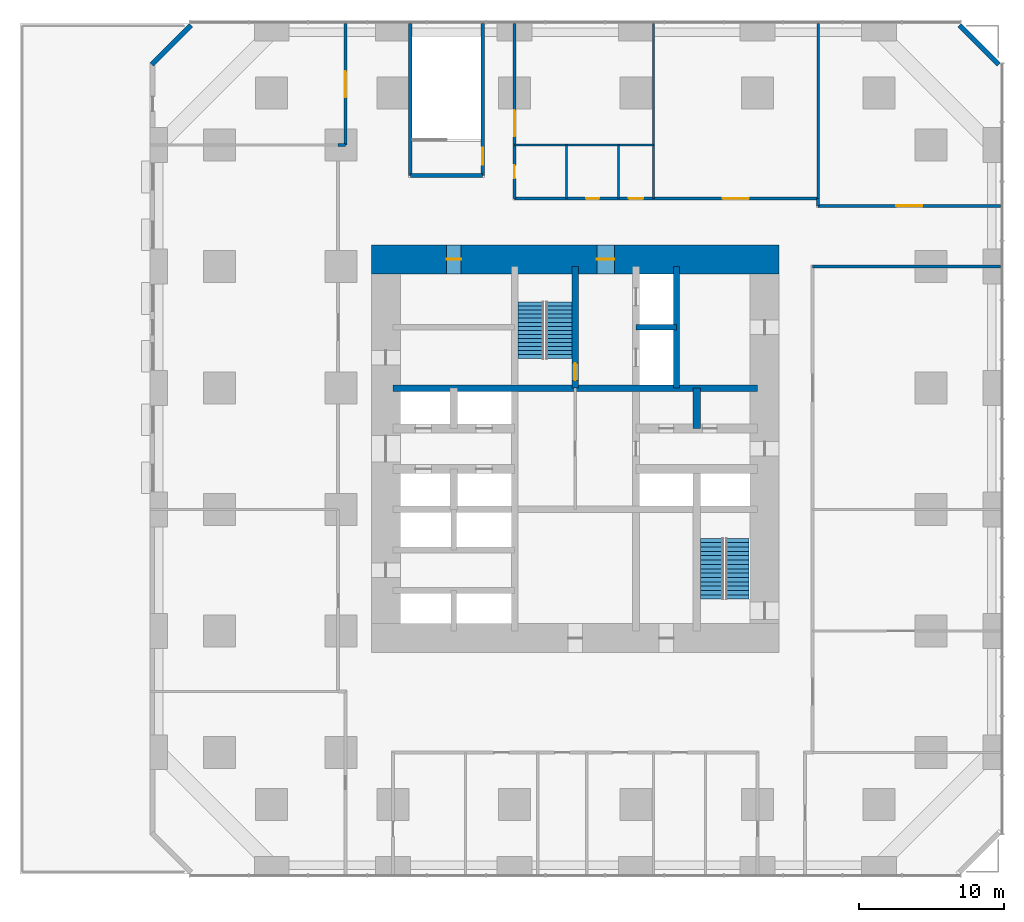
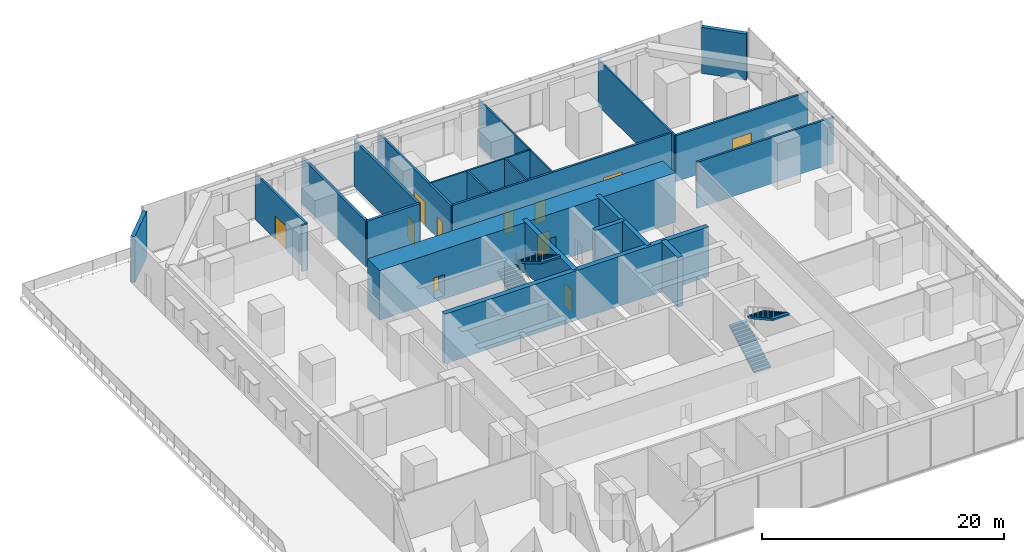
# One storey, part 9 of 12: 23 walls, 11 doors, 4 stair flights, 11 openings, 2 elements without a shape of their own.
"""IFC4 building model written with IfcOpenShell, lengths in metres."""

from ifc_helpers import new_model, si_unit, direction, frame, frame_2d, origin, place, context, subcontext, project, spatial, polyline, rectangle, outline, extrude, material, layer, layer_set, type_object, element, fill, aggregate, save


model = new_model("IFC4")

# Units and contexts
model_context = context("Model", 3, precision=1e-05, world=origin(), true_north=direction((0.0, 1.0)))
body_context = subcontext(model_context, "Body", "Model", "MODEL_VIEW")
ifc_project = project(units=[si_unit("LENGTHUNIT", "METRE"), si_unit("AREAUNIT", "SQUARE_METRE"), si_unit("VOLUMEUNIT", "CUBIC_METRE"), si_unit("PLANEANGLEUNIT", "RADIAN"), si_unit("MASSUNIT", "GRAM", prefix="KILO")], contexts=[model_context])

# Site, building, storey
site_placement = place(None, origin())
site = spatial("IfcSite", under=ifc_project, at=site_placement, CompositionType="ELEMENT")
building_placement = place(site_placement, origin())
building = spatial("IfcBuilding", under=site, at=building_placement, Name="Dunama Terrace Hotel", CompositionType="ELEMENT")
storey_placement = place(building_placement, frame((0.0, 0.0, 22.0)))
storey = spatial("IfcBuildingStorey", under=building, at=storey_placement, Name="L04", CompositionType="ELEMENT", Elevation=22.0)

# Walls
ifc_material_1 = material(Name="Concrete C50/60", Category="concrete")
ifc_layer_1 = layer(ifc_material_1, 0.39990234375)
ifc_layer_set_1 = layer_set([ifc_layer_1], Name="Core inner wall 400")
wall_type_1 = type_object("IfcWallType", Name="Core inner wall 400", PredefinedType="SHEAR", material=ifc_layer_set_1)
wall_1_placement = place(storey_placement, frame((36.39990234375, 33.60009765625, -0.35009765625), z_axis=(0.0, 0.0, 1.0), x_axis=(0.0, 1.0, 0.0)))
element("IfcWall", 1, at=wall_1_placement, inside=storey, type_object=wall_type_1, Name="Core inner wall 400 L04", PredefinedType="SHEAR", context=body_context, shape_type="SweptSolid", body=[
    extrude(rectangle(XDim=8.39990234375, YDim=0.39990234375, at=frame_2d((4.199951171875, 0.0))), origin(), (0.0, 0.0, 1.0), 5.0),
])
wall_2_placement = place(storey_placement, frame((33.60009765625, 37.800048828125, -0.35009765625), z_axis=(0.0, 0.0, 1.0), x_axis=(1.0, 0.0, 0.0)))
element("IfcWall", 2, at=wall_2_placement, inside=storey, type_object=wall_type_1, Name="Core inner wall 400 L04", PredefinedType="SHEAR", context=body_context, shape_type="SweptSolid", body=[
    extrude(rectangle(XDim=2.7998046875, YDim=0.39990234375, at=frame_2d((1.39990234375, 0.0))), origin(), (0.0, 0.0, 1.0), 5.0),
])

# Wall, opening, door
ifc_material_2 = material(Name="Concrete C50/60", Category="concrete")
ifc_layer_2 = layer(ifc_material_2, 0.449951171875)
ifc_layer_set_2 = layer_set([ifc_layer_2], Name="Core inner wall 450")
wall_type_2 = type_object("IfcWallType", Name="Core inner wall 450", PredefinedType="SHEAR", material=ifc_layer_set_2)
wall_3_placement = place(storey_placement, frame((29.39990234375, 33.60009765625, -0.35009765625), z_axis=(0.0, 0.0, 1.0), x_axis=(0.0, 1.0, 0.0)))
wall_3 = element("IfcWall", 3, at=wall_3_placement, inside=storey, type_object=wall_type_2, Name="Core inner wall 450 L04", PredefinedType="SHEAR", context=body_context, shape_type="SweptSolid", body=[
    extrude(rectangle(XDim=8.39990234375, YDim=0.449951171875, at=frame_2d((4.199951171875, 0.0))), origin(), (0.0, 0.0, 1.0), 5.0),
])
opening_1_placement = place(wall_3_placement, frame((0.52490234375, 0.0, 0.35009765625)))
opening_1 = element("IfcOpeningElement", 4, at=opening_1_placement, cuts=wall_3, Name="Opening L04-003", PredefinedType="OPENING", context=body_context, shape_type="SweptSolid", body=[
    extrude(rectangle(XDim=1.199951171875, YDim=2.199951171875, at=frame_2d((0.60009765625, 1.10009765625))), frame((0.0, 0.23486328125, 0.0), z_axis=(0.0, -1.0, 0.0), x_axis=(1.0, 0.0, 0.0)), (0.0, 0.0, 1.0), 0.469970703125),
])
ifc_material_3 = material(Name="Timber door with steel frame", Category="steel")
door_type_1 = type_object("IfcDoorType", Name="Stair door 1200", OperationType="SINGLE_SWING_LEFT", PredefinedType="DOOR", material=ifc_material_3)
door_1_placement = place(opening_1_placement, origin())
door_1 = element("IfcDoor", 5, at=door_1_placement, inside=storey, type_object=door_type_1, Name="Stair door ST1 L04-003, type D5", OperationType="SINGLE_SWING_LEFT", OverallHeight=2.199951171875, OverallWidth=1.199951171875, PredefinedType="DOOR", context=body_context, shape_type="SweptSolid", body=[
    extrude(rectangle(XDim=1.199951171875, YDim=2.199951171875, at=frame_2d((0.60009765625, 1.10009765625))), frame((0.0, 0.02490234375, 0.0), z_axis=(0.0, -1.0, 0.0), x_axis=(1.0, 0.0, 0.0)), (0.0, 0.0, 1.0), 0.050048828125),
])
fill(opening_1, door_1)

# Walls
wall_4_placement = place(storey_placement, frame((16.800048828125, 33.60009765625, -0.35009765625), z_axis=(0.0, 0.0, 1.0), x_axis=(1.0, 0.0, 0.0)))
element("IfcWall", 6, at=wall_4_placement, inside=storey, type_object=wall_type_2, Name="Core inner wall 450 L04", PredefinedType="SHEAR", context=body_context, shape_type="SweptSolid", body=[
    extrude(rectangle(XDim=25.199951171875, YDim=0.449951171875, at=frame_2d((12.60009765625, 0.0))), origin(), (0.0, 0.0, 1.0), 5.0),
])
ifc_material_4 = material(Name="Concrete C50/60", Category="concrete")
ifc_layer_3 = layer(ifc_material_4, 0.5)
ifc_layer_set_3 = layer_set([ifc_layer_3], Name="Core inner wall 500")
wall_type_3 = type_object("IfcWallType", Name="Core inner wall 500", PredefinedType="SHEAR", material=ifc_layer_set_3)
wall_5_placement = place(storey_placement, frame((37.800048828125, 30.800048828125, -0.35009765625), z_axis=(0.0, 0.0, 1.0), x_axis=(0.0, 1.0, 0.0)))
element("IfcWall", 7, at=wall_5_placement, inside=storey, type_object=wall_type_3, Name="Core inner wall 500 L04", PredefinedType="SHEAR", context=body_context, shape_type="SweptSolid", body=[
    extrude(rectangle(XDim=2.800048828125, YDim=0.5, at=frame_2d((1.39990234375, 0.0))), origin(), (0.0, 0.0, 1.0), 5.0),
])

# Wall, openings, doors
ifc_material_5 = material(Name="Concrete C60/75", Category="concrete")
ifc_layer_4 = layer(ifc_material_5, 2.0)
ifc_layer_set_4 = layer_set([ifc_layer_4], Name="Core wall 2000")
wall_type_4 = type_object("IfcWallType", Name="Core wall 2000", PredefinedType="SHEAR", material=ifc_layer_set_4)
wall_6_placement = place(storey_placement, frame((43.5, 42.5, -0.35009765625), z_axis=(0.0, 0.0, 1.0), x_axis=(-1.0, 0.0, 0.0)))
wall_6 = element("IfcWall", 8, at=wall_6_placement, inside=storey, type_object=wall_type_4, Name="Core wall north L04", PredefinedType="SHEAR", context=body_context, shape_type="SweptSolid", body=[
    extrude(rectangle(XDim=28.199951171875, YDim=2.0, at=frame_2d((14.10009765625, 0.0))), origin(), (0.0, 0.0, 1.0), 5.0),
])
opening_2_placement = place(wall_6_placement, frame((22.0, 0.0, 0.35009765625)))
opening_2 = element("IfcOpeningElement", 9, at=opening_2_placement, cuts=wall_6, Name="Opening L04-015", PredefinedType="OPENING", context=body_context, shape_type="SweptSolid", body=[
    extrude(rectangle(XDim=1.0, YDim=2.10009765625, at=frame_2d((0.5, 1.050048828125))), frame((0.0, 1.010009765625, 0.0), z_axis=(0.0, -1.0, 0.0), x_axis=(1.0, 0.0, 0.0)), (0.0, 0.0, 1.0), 2.02001953125),
])
opening_3_placement = place(wall_6_placement, frame((11.39990234375, 0.0, 0.35009765625)))
opening_3 = element("IfcOpeningElement", 10, at=opening_3_placement, cuts=wall_6, Name="Opening L04-021", PredefinedType="OPENING", context=body_context, shape_type="SweptSolid", body=[
    extrude(rectangle(XDim=1.199951171875, YDim=2.199951171875, at=frame_2d((0.60009765625, 1.10009765625))), frame((0.0, 1.010009765625, 0.0), z_axis=(0.0, -1.0, 0.0), x_axis=(1.0, 0.0, 0.0)), (0.0, 0.0, 1.0), 2.02001953125),
])
ifc_material_6 = material(Name="Timber door with steel frame", Category="steel")
door_type_2 = type_object("IfcDoorType", Name="Firefighting lobby door 1200", OperationType="SINGLE_SWING_LEFT", PredefinedType="DOOR", material=ifc_material_6)
door_2_placement = place(opening_3_placement, origin())
door_2 = element("IfcDoor", 11, at=door_2_placement, inside=storey, type_object=door_type_2, Name="Door to firefighting lobby L04-021, type D4", OperationType="SINGLE_SWING_LEFT", OverallHeight=2.199951171875, OverallWidth=1.199951171875, PredefinedType="DOOR", context=body_context, shape_type="SweptSolid", body=[
    extrude(rectangle(XDim=1.199951171875, YDim=2.199951171875, at=frame_2d((0.60009765625, 1.10009765625))), frame((0.0, 0.02490234375, 0.0), z_axis=(0.0, -1.0, 0.0), x_axis=(1.0, 0.0, 0.0)), (0.0, 0.0, 1.0), 0.050048828125),
])
fill(opening_3, door_2)
ifc_material_7 = material(Name="Timber door with steel frame", Category="steel")
door_type_3 = type_object("IfcDoorType", Name="Service door 1000", OperationType="SINGLE_SWING_LEFT", PredefinedType="DOOR", material=ifc_material_7)
door_3_placement = place(opening_2_placement, origin())
door_3 = element("IfcDoor", 12, at=door_3_placement, inside=storey, type_object=door_type_3, Name="Door to communications and riser room L04-015, type D7", OperationType="SINGLE_SWING_RIGHT", OverallHeight=2.10009765625, OverallWidth=1.0, PredefinedType="DOOR", context=body_context, shape_type="SweptSolid", body=[
    extrude(rectangle(XDim=1.0, YDim=2.10009765625, at=frame_2d((0.5, 1.050048828125))), frame((0.0, 0.02490234375, 0.0), z_axis=(0.0, -1.0, 0.0), x_axis=(1.0, 0.0, 0.0)), (0.0, 0.0, 1.0), 0.050048828125),
])
fill(opening_2, door_3)

ifc_material_8 = material(Name="Concrete blockwork", Category="masonry")
ifc_layer_5 = layer(ifc_material_8, 0.199951171875)
ifc_layer_set_5 = layer_set([ifc_layer_5], Name="Corridor partition 200")
wall_type_5 = type_object("IfcWallType", Name="Corridor partition 200", PredefinedType="PARTITIONING", material=ifc_layer_set_5)
wall_7_placement = place(storey_placement, frame((25.199951171875, 46.699951171875, 0.0), z_axis=(0.0, 0.0, 1.0), x_axis=(0.0, 1.0, 0.0)))
wall_7 = element("IfcWall", 13, at=wall_7_placement, inside=storey, type_object=wall_type_5, Name="Corridor partition 200 L04", PredefinedType="PARTITIONING", context=body_context, shape_type="SweptSolid", body=[
    extrude(rectangle(XDim=12.123046875, YDim=0.199951171875, at=frame_2d((6.0615234375, 0.0))), origin(), (0.0, 0.0, 1.0), 4.64990234375),
])
opening_4_placement = place(wall_7_placement, frame((1.39990234375, 0.0, 0.0)))
opening_4 = element("IfcOpeningElement", 14, at=opening_4_placement, cuts=wall_7, Name="Opening L04-031", PredefinedType="OPENING", context=body_context, shape_type="SweptSolid", body=[
    extrude(rectangle(XDim=0.89990234375, YDim=2.10009765625, at=frame_2d((0.449951171875, 1.050048828125))), frame((0.0, 0.10986328125, 0.0), z_axis=(0.0, -1.0, 0.0), x_axis=(1.0, 0.0, 0.0)), (0.0, 0.0, 1.0), 0.219970703125),
])
opening_5_placement = place(wall_7_placement, frame((4.300048828125, 0.0, 0.0)))
opening_5 = element("IfcOpeningElement", 15, at=opening_5_placement, cuts=wall_7, Name="Opening L04-043", PredefinedType="OPENING", context=body_context, shape_type="SweptSolid", body=[
    extrude(rectangle(XDim=1.800048828125, YDim=2.39990234375, at=frame_2d((0.89990234375, 1.199951171875))), frame((0.0, 0.10986328125, 0.0), z_axis=(0.0, -1.0, 0.0), x_axis=(1.0, 0.0, 0.0)), (0.0, 0.0, 1.0), 0.219970703125),
])
ifc_material_9 = material(Name="Aluminium-framed glazed door", Category="aluminium")
door_type_4 = type_object("IfcDoorType", Name="Glazed double door 1800", OperationType="DOUBLE_DOOR_DOUBLE_SWING", PredefinedType="DOOR", material=ifc_material_9)
door_4_placement = place(opening_5_placement, origin())
door_4 = element("IfcDoor", 16, at=door_4_placement, inside=storey, type_object=door_type_4, Name="Door to fitness reception and lounge L04-043, type D8", OperationType="DOUBLE_DOOR_DOUBLE_SWING", OverallHeight=2.39990234375, OverallWidth=1.800048828125, PredefinedType="DOOR", context=body_context, shape_type="SweptSolid", body=[
    extrude(rectangle(XDim=1.800048828125, YDim=2.39990234375, at=frame_2d((0.89990234375, 1.199951171875))), frame((0.0, 0.02490234375, 0.0), z_axis=(0.0, -1.0, 0.0), x_axis=(1.0, 0.0, 0.0)), (0.0, 0.0, 1.0), 0.050048828125),
])
fill(opening_5, door_4)
ifc_material_10 = material(Name="Timber door with steel frame", Category="steel")
door_type_5 = type_object("IfcDoorType", Name="WC door 900", OperationType="SINGLE_SWING_LEFT", PredefinedType="DOOR", material=ifc_material_10)
door_5_placement = place(opening_4_placement, frame((0.89990234375, 0.0, 0.0), z_axis=(0.0, 0.0, 1.0), x_axis=(-1.0, 0.0, 0.0)))
door_5 = element("IfcDoor", 17, at=door_5_placement, inside=storey, type_object=door_type_5, Name="Door to male wc L04-031, type D6", OperationType="SINGLE_SWING_RIGHT", OverallHeight=2.10009765625, OverallWidth=0.89990234375, PredefinedType="DOOR", context=body_context, shape_type="SweptSolid", body=[
    extrude(rectangle(XDim=0.89990234375, YDim=2.10009765625, at=frame_2d((0.449951171875, 1.050048828125))), frame((0.0, 0.025146484375, 0.0), z_axis=(0.0, -1.0, 0.0), x_axis=(1.0, 0.0, 0.0)), (0.0, 0.0, 1.0), 0.050048828125),
])
fill(opening_4, door_5)

# Walls
wall_8_placement = place(storey_placement, frame((46.199951171875, 46.199951171875, 0.0), z_axis=(0.0, 0.0, 1.0), x_axis=(0.0, 1.0, 0.0)))
element("IfcWall", 18, at=wall_8_placement, inside=storey, type_object=wall_type_5, Name="Corridor partition 200 L04", PredefinedType="PARTITIONING", context=body_context, shape_type="SweptSolid", body=[
    extrude(rectangle(XDim=0.5, YDim=0.199951171875, at=frame_2d((0.25, 0.0))), origin(), (0.0, 0.0, 1.0), 4.64990234375),
])
wall_9_placement = place(storey_placement, frame((45.800048828125, 42.0, 0.0), z_axis=(0.0, 0.0, 1.0), x_axis=(1.0, 0.0, 0.0)))
element("IfcWall", 19, at=wall_9_placement, inside=storey, type_object=wall_type_5, Name="Corridor partition 200 L04", PredefinedType="PARTITIONING", context=body_context, shape_type="SweptSolid", body=[
    extrude(rectangle(XDim=13.02294921875, YDim=0.199951171875, at=frame_2d((6.511474609375, 0.0))), origin(), (0.0, 0.0, 1.0), 4.64990234375),
])

# Wall, opening, door
wall_10_placement = place(storey_placement, frame((46.199951171875, 46.199951171875, 0.0), z_axis=(0.0, 0.0, 1.0), x_axis=(1.0, 0.0, 0.0)))
wall_10 = element("IfcWall", 20, at=wall_10_placement, inside=storey, type_object=wall_type_5, Name="Corridor partition 200 L04", PredefinedType="PARTITIONING", context=body_context, shape_type="SweptSolid", body=[
    extrude(rectangle(XDim=12.623046875, YDim=0.199951171875, at=frame_2d((6.3115234375, 0.0))), origin(), (0.0, 0.0, 1.0), 4.64990234375),
])
opening_6_placement = place(wall_10_placement, frame((5.39990234375, 0.0, 0.0)))
opening_6 = element("IfcOpeningElement", 21, at=opening_6_placement, cuts=wall_10, Name="Opening L04-042", PredefinedType="OPENING", context=body_context, shape_type="SweptSolid", body=[
    extrude(rectangle(XDim=1.800048828125, YDim=2.39990234375, at=frame_2d((0.89990234375, 1.199951171875))), frame((0.0, 0.10986328125, 0.0), z_axis=(0.0, -1.0, 0.0), x_axis=(1.0, 0.0, 0.0)), (0.0, 0.0, 1.0), 0.219970703125),
])
door_6_placement = place(opening_6_placement, origin())
door_6 = element("IfcDoor", 22, at=door_6_placement, inside=storey, type_object=door_type_4, Name="Door to spinning studio L04-042, type D8", OperationType="DOUBLE_DOOR_DOUBLE_SWING", OverallHeight=2.39990234375, OverallWidth=1.800048828125, PredefinedType="DOOR", context=body_context, shape_type="SweptSolid", body=[
    extrude(rectangle(XDim=1.800048828125, YDim=2.39990234375, at=frame_2d((0.89990234375, 1.199951171875))), frame((0.0, 0.02490234375, 0.0), z_axis=(0.0, -1.0, 0.0), x_axis=(1.0, 0.0, 0.0)), (0.0, 0.0, 1.0), 0.050048828125),
])
fill(opening_6, door_6)

# Wall, openings, doors
wall_11_placement = place(storey_placement, frame((25.199951171875, 46.699951171875, 0.0), z_axis=(0.0, 0.0, 1.0), x_axis=(1.0, 0.0, 0.0)))
wall_11 = element("IfcWall", 23, at=wall_11_placement, inside=storey, type_object=wall_type_5, Name="Corridor partition 200 L04", PredefinedType="PARTITIONING", context=body_context, shape_type="SweptSolid", body=[
    extrude(rectangle(XDim=21.0, YDim=0.199951171875, at=frame_2d((10.5, 0.0))), origin(), (0.0, 0.0, 1.0), 4.64990234375),
])
opening_7_placement = place(wall_11_placement, frame((4.949951171875, 0.0, 0.0)))
opening_7 = element("IfcOpeningElement", 24, at=opening_7_placement, cuts=wall_11, Name="Opening L04-032", PredefinedType="OPENING", context=body_context, shape_type="SweptSolid", body=[
    extrude(rectangle(XDim=0.89990234375, YDim=2.10009765625, at=frame_2d((0.449951171875, 1.050048828125))), frame((0.0, 0.10986328125, 0.0), z_axis=(0.0, -1.0, 0.0), x_axis=(1.0, 0.0, 0.0)), (0.0, 0.0, 1.0), 0.219970703125),
])
opening_8_placement = place(wall_11_placement, frame((7.89990234375, 0.0, 0.0)))
opening_8 = element("IfcOpeningElement", 25, at=opening_8_placement, cuts=wall_11, Name="Opening L04-033", PredefinedType="OPENING", context=body_context, shape_type="SweptSolid", body=[
    extrude(rectangle(XDim=1.0, YDim=2.10009765625, at=frame_2d((0.5, 1.050048828125))), frame((0.0, 0.10986328125, 0.0), z_axis=(0.0, -1.0, 0.0), x_axis=(1.0, 0.0, 0.0)), (0.0, 0.0, 1.0), 0.219970703125),
])
opening_9_placement = place(wall_11_placement, frame((14.39990234375, 0.0, 0.0)))
opening_9 = element("IfcOpeningElement", 26, at=opening_9_placement, cuts=wall_11, Name="Opening L04-041", PredefinedType="OPENING", context=body_context, shape_type="SweptSolid", body=[
    extrude(rectangle(XDim=1.800048828125, YDim=2.39990234375, at=frame_2d((0.89990234375, 1.199951171875))), frame((0.0, 0.10986328125, 0.0), z_axis=(0.0, -1.0, 0.0), x_axis=(1.0, 0.0, 0.0)), (0.0, 0.0, 1.0), 0.219970703125),
])
ifc_material_11 = material(Name="Timber door with steel frame", Category="steel")
door_type_6 = type_object("IfcDoorType", Name="Accessible room door 1000", OperationType="SINGLE_SWING_LEFT", PredefinedType="DOOR", material=ifc_material_11)
door_7_placement = place(opening_8_placement, origin())
door_7 = element("IfcDoor", 27, at=door_7_placement, inside=storey, type_object=door_type_6, Name="Door to accessible wc L04-033, type D17", OperationType="SINGLE_SWING_RIGHT", OverallHeight=2.10009765625, OverallWidth=1.0, PredefinedType="DOOR", context=body_context, shape_type="SweptSolid", body=[
    extrude(rectangle(XDim=1.0, YDim=2.10009765625, at=frame_2d((0.5, 1.050048828125))), frame((0.0, 0.02490234375, 0.0), z_axis=(0.0, -1.0, 0.0), x_axis=(1.0, 0.0, 0.0)), (0.0, 0.0, 1.0), 0.050048828125),
])
fill(opening_8, door_7)
door_8_placement = place(opening_9_placement, origin())
door_8 = element("IfcDoor", 28, at=door_8_placement, inside=storey, type_object=door_type_4, Name="Door to yoga studio L04-041, type D8", OperationType="DOUBLE_DOOR_DOUBLE_SWING", OverallHeight=2.39990234375, OverallWidth=1.800048828125, PredefinedType="DOOR", context=body_context, shape_type="SweptSolid", body=[
    extrude(rectangle(XDim=1.800048828125, YDim=2.39990234375, at=frame_2d((0.89990234375, 1.199951171875))), frame((0.0, 0.02490234375, 0.0), z_axis=(0.0, -1.0, 0.0), x_axis=(1.0, 0.0, 0.0)), (0.0, 0.0, 1.0), 0.050048828125),
])
fill(opening_9, door_8)
door_9_placement = place(opening_7_placement, origin())
door_9 = element("IfcDoor", 29, at=door_9_placement, inside=storey, type_object=door_type_5, Name="Door to female wc L04-032, type D6", OperationType="SINGLE_SWING_LEFT", OverallHeight=2.10009765625, OverallWidth=0.89990234375, PredefinedType="DOOR", context=body_context, shape_type="SweptSolid", body=[
    extrude(rectangle(XDim=0.89990234375, YDim=2.10009765625, at=frame_2d((0.449951171875, 1.050048828125))), frame((0.0, 0.02490234375, 0.0), z_axis=(0.0, -1.0, 0.0), x_axis=(1.0, 0.0, 0.0)), (0.0, 0.0, 1.0), 0.050048828125),
])
fill(opening_7, door_9)

# Wall, opening, door
wall_12_placement = place(storey_placement, frame((13.5, 58.822998046875, 0.0), z_axis=(0.0, 0.0, 1.0), x_axis=(0.0, -1.0, 0.0)))
wall_12 = element("IfcWall", 30, at=wall_12_placement, inside=storey, type_object=wall_type_5, Name="Corridor partition 200 L04", PredefinedType="PARTITIONING", context=body_context, shape_type="SweptSolid", body=[
    extrude(rectangle(XDim=8.423095703125, YDim=0.199951171875, at=frame_2d((4.21142578125, 0.0))), origin(), (0.0, 0.0, 1.0), 4.64990234375),
])
opening_10_placement = place(wall_12_placement, frame((3.322998046875, 0.0, 0.0)))
opening_10 = element("IfcOpeningElement", 31, at=opening_10_placement, cuts=wall_12, Name="Opening L04-044", PredefinedType="OPENING", context=body_context, shape_type="SweptSolid", body=[
    extrude(rectangle(XDim=1.800048828125, YDim=2.39990234375, at=frame_2d((0.89990234375, 1.199951171875))), frame((0.0, 0.10986328125, 0.0), z_axis=(0.0, -1.0, 0.0), x_axis=(1.0, 0.0, 0.0)), (0.0, 0.0, 1.0), 0.219970703125),
])
door_10_placement = place(opening_10_placement, origin())
door_10 = element("IfcDoor", 32, at=door_10_placement, inside=storey, type_object=door_type_4, Name="Door to juice bar and lounge L04-044, type D8", OperationType="DOUBLE_DOOR_DOUBLE_SWING", OverallHeight=2.39990234375, OverallWidth=1.800048828125, PredefinedType="DOOR", context=body_context, shape_type="SweptSolid", body=[
    extrude(rectangle(XDim=1.800048828125, YDim=2.39990234375, at=frame_2d((0.89990234375, 1.199951171875))), frame((0.0, 0.02490234375, 0.0), z_axis=(0.0, -1.0, 0.0), x_axis=(1.0, 0.0, 0.0)), (0.0, 0.0, 1.0), 0.050048828125),
])
fill(opening_10, door_10)

# Walls
wall_13_placement = place(storey_placement, frame((13.5, 50.39990234375, 0.0), z_axis=(0.0, 0.0, 1.0), x_axis=(-1.0, 0.0, 0.0)))
element("IfcWall", 33, at=wall_13_placement, inside=storey, type_object=wall_type_5, Name="Corridor partition 200 L04", PredefinedType="PARTITIONING", context=body_context, shape_type="SweptSolid", body=[
    extrude(rectangle(XDim=0.5, YDim=0.199951171875, at=frame_2d((0.25, 0.0))), origin(), (0.0, 0.0, 1.0), 4.64990234375),
])
ifc_material_12 = material(Name="Granite-faced concrete blockwork", Category="masonry")
ifc_layer_6 = layer(ifc_material_12, 0.35009765625)
ifc_layer_set_6 = layer_set([ifc_layer_6], Name="Podium external wall 350")
wall_type_6 = type_object("IfcWallType", Name="Podium external wall 350", PredefinedType="SOLIDWALL", material=ifc_layer_set_6)
for number, where, z_axis, x_axis, name in (
    (34, (58.676025390625, 55.97607421875, 0.0), (0.0, 0.0, 1.0), (-0.707106781187, 0.707106781187, 0.0), "Podium external wall 350 L04"),
    (35, (2.823974609375, 58.676025390625, 0.0), (0.0, 0.0, 1.0), (-0.707106781187, -0.707106781187, 0.0), "Podium external wall 350 L04"),
):
    element("IfcWall", number, at=place(storey_placement, frame(where, z_axis=z_axis, x_axis=x_axis)), inside=storey, type_object=wall_type_6, Name=name, PredefinedType="SOLIDWALL", context=body_context, shape_type="SweptSolid", body=[
        extrude(rectangle(XDim=3.818359375, YDim=0.35009765625, at=frame_2d((1.9091796875, 0.0))), origin(), (0.0, 0.0, 1.0), 4.64990234375),
    ])
ifc_material_13 = material(Name="Gypsum board partition", Category="masonry")
ifc_layer_7 = layer(ifc_material_13, 0.14990234375)
ifc_layer_set_7 = layer_set([ifc_layer_7], Name="Room partition 150")
wall_type_7 = type_object("IfcWallType", Name="Room partition 150", PredefinedType="PARTITIONING", material=ifc_layer_set_7)
for number, where, z_axis, x_axis, name in (
    (36, (28.800048828125, 46.699951171875, 0.0), (0.0, 0.0, 1.0), (0.0, 1.0, 0.0), "Room partition 150 L04"),
    (37, (32.39990234375, 46.699951171875, 0.0), (0.0, 0.0, 1.0), (0.0, 1.0, 0.0), "Room partition 150 L04"),
):
    element("IfcWall", number, at=place(storey_placement, frame(where, z_axis=z_axis, x_axis=x_axis)), inside=storey, type_object=wall_type_7, Name=name, PredefinedType="PARTITIONING", context=body_context, shape_type="SweptSolid", body=[
        extrude(rectangle(XDim=3.699951171875, YDim=0.14990234375, at=frame_2d((1.85009765625, 0.0))), origin(), (0.0, 0.0, 1.0), 4.64990234375),
    ])
for number, where, z_axis, x_axis, name in (
    (38, (34.800048828125, 46.699951171875, 0.0), (0.0, 0.0, 1.0), (0.0, 1.0, 0.0), "Room partition 150 L04"),
    (39, (46.199951171875, 46.699951171875, 0.0), (0.0, 0.0, 1.0), (0.0, 1.0, 0.0), "Room partition 150 L04"),
):
    element("IfcWall", number, at=place(storey_placement, frame(where, z_axis=z_axis, x_axis=x_axis)), inside=storey, type_object=wall_type_7, Name=name, PredefinedType="PARTITIONING", context=body_context, shape_type="SweptSolid", body=[
        extrude(rectangle(XDim=12.123046875, YDim=0.14990234375, at=frame_2d((6.0615234375, 0.0))), origin(), (0.0, 0.0, 1.0), 4.64990234375),
    ])
wall_14_placement = place(storey_placement, frame((25.199951171875, 50.39990234375, 0.0), z_axis=(0.0, 0.0, 1.0), x_axis=(1.0, 0.0, 0.0)))
element("IfcWall", 40, at=wall_14_placement, inside=storey, type_object=wall_type_7, Name="Room partition 150 L04", PredefinedType="PARTITIONING", context=body_context, shape_type="SweptSolid", body=[
    extrude(rectangle(XDim=9.60009765625, YDim=0.14990234375, at=frame_2d((4.800048828125, 0.0))), origin(), (0.0, 0.0, 1.0), 4.64990234375),
])
ifc_material_14 = material(Name="Concrete blockwork", Category="masonry")
ifc_layer_8 = layer(ifc_material_14, 0.25)
ifc_layer_set_8 = layer_set([ifc_layer_8], Name="Stair enclosure wall 250")
wall_type_8 = type_object("IfcWallType", Name="Stair enclosure wall 250", PredefinedType="PARTITIONING", material=ifc_layer_set_8)
wall_15_placement = place(storey_placement, frame((18.0, 48.300048828125, 0.0), z_axis=(0.0, 0.0, 1.0), x_axis=(0.0, 1.0, 0.0)))
element("IfcWall", 41, at=wall_15_placement, inside=storey, type_object=wall_type_8, Name="Stair enclosure wall 250 L04", PredefinedType="PARTITIONING", context=body_context, shape_type="SweptSolid", body=[
    extrude(rectangle(XDim=10.52294921875, YDim=0.25, at=frame_2d((5.261474609375, 0.0))), origin(), (0.0, 0.0, 1.0), 4.64990234375),
])

# Wall, opening, door
wall_16_placement = place(storey_placement, frame((23.0, 48.300048828125, 0.0), z_axis=(0.0, 0.0, 1.0), x_axis=(0.0, 1.0, 0.0)))
wall_16 = element("IfcWall", 42, at=wall_16_placement, inside=storey, type_object=wall_type_8, Name="Stair enclosure wall 250 L04", PredefinedType="PARTITIONING", context=body_context, shape_type="SweptSolid", body=[
    extrude(rectangle(XDim=10.52294921875, YDim=0.25, at=frame_2d((5.261474609375, 0.0))), origin(), (0.0, 0.0, 1.0), 4.64990234375),
])
opening_11_placement = place(wall_16_placement, frame((0.72509765625, 0.0, 0.0)))
opening_11 = element("IfcOpeningElement", 43, at=opening_11_placement, cuts=wall_16, Name="Opening L04-005", PredefinedType="OPENING", context=body_context, shape_type="SweptSolid", body=[
    extrude(rectangle(XDim=1.199951171875, YDim=2.199951171875, at=frame_2d((0.60009765625, 1.10009765625))), frame((0.0, 0.135009765625, 0.0), z_axis=(0.0, -1.0, 0.0), x_axis=(1.0, 0.0, 0.0)), (0.0, 0.0, 1.0), 0.27001953125),
])
door_11_placement = place(opening_11_placement, origin())
door_11 = element("IfcDoor", 44, at=door_11_placement, inside=storey, type_object=door_type_1, Name="Stair door P5 L04-005, type D5", OperationType="SINGLE_SWING_LEFT", OverallHeight=2.199951171875, OverallWidth=1.199951171875, PredefinedType="DOOR", context=body_context, shape_type="SweptSolid", body=[
    extrude(rectangle(XDim=1.199951171875, YDim=2.199951171875, at=frame_2d((0.60009765625, 1.10009765625))), frame((0.0, 0.02490234375, 0.0), z_axis=(0.0, -1.0, 0.0), x_axis=(1.0, 0.0, 0.0)), (0.0, 0.0, 1.0), 0.050048828125),
])
fill(opening_11, door_11)

# Wall
wall_17_placement = place(storey_placement, frame((18.0, 48.300048828125, 0.0), z_axis=(0.0, 0.0, 1.0), x_axis=(1.0, 0.0, 0.0)))
element("IfcWall", 45, at=wall_17_placement, inside=storey, type_object=wall_type_8, Name="Stair enclosure wall 250 L04", PredefinedType="PARTITIONING", context=body_context, shape_type="SweptSolid", body=[
    extrude(rectangle(XDim=5.0, YDim=0.25, at=frame_2d((2.5, 0.0))), origin(), (0.0, 0.0, 1.0), 4.64990234375),
])

# Stair, stair flights
ifc_material_15 = material(Name="Concrete C40/50", Category="concrete")
stair_type_1 = type_object("IfcStairType", Name="Stair ST1-5000-1800", PredefinedType="HALF_TURN_STAIR", material=ifc_material_15)
stair_1_placement = place(storey_placement, origin())
stair_1 = element("IfcStair", 46, at=stair_1_placement, inside=storey, type_object=stair_type_1, Name="Stair ST1 L04", PredefinedType="HALF_TURN_STAIR")
ifc_material_16 = material(Name="Concrete C40/50", Category="concrete")
stair_flight_type_1 = type_object("IfcStairFlightType", Name="Stair flight ST1-5000-1800", PredefinedType="STRAIGHT", material=ifc_material_16)
stair_flight_1_placement = place(storey_placement, frame((26.324951171875, 35.625, 0.0), z_axis=(0.0, 0.0, 1.0), x_axis=(0.0, 1.0, 0.0)))
stair_flight_1 = element("IfcStairFlight", 47, at=stair_flight_1_placement, type_object=stair_flight_type_1, Name="ST1 flight 1", NumberOfRisers=15, NumberOfTreads=14, PredefinedType="STRAIGHT", RiserHeight=0.166666667, TreadLength=0.28, context=body_context, shape_type="SweptSolid", body=[
    extrude(outline(polyline([(0.0, 0.0), (0.0, 0.166748046875), (0.280029296875, 0.166748046875), (0.280029296875, 0.333251953125), (0.56005859375, 0.333251953125), (0.56005859375, 0.5), (0.840087890625, 0.5), (0.840087890625, 0.666748046875), (1.1201171875, 0.666748046875), (1.1201171875, 0.833251953125), (1.39990234375, 0.833251953125), (1.39990234375, 1.0), (1.679931640625, 1.0), (1.679931640625, 1.166748046875), (1.9599609375, 1.166748046875), (1.9599609375, 1.333251953125), (2.239990234375, 1.333251953125), (2.239990234375, 1.5), (2.52001953125, 1.5), (2.52001953125, 1.666748046875), (2.800048828125, 1.666748046875), (2.800048828125, 1.833251953125), (3.080078125, 1.833251953125), (3.080078125, 2.0), (3.360107421875, 2.0), (3.360107421875, 2.166748046875), (3.639892578125, 2.166748046875), (3.639892578125, 2.333251953125), (3.919921875, 2.333251953125), (3.919921875, 2.5), (3.919921875, 2.158935546875), (0.29296875, 0.0), (0.0, 0.0)])), frame((0.0, 0.89990234375, 0.0), z_axis=(0.0, -1.0, 0.0), x_axis=(1.0, 0.0, 0.0)), (0.0, 0.0, 1.0), 1.800048828125),
])
stair_flight_2_placement = place(storey_placement, frame((28.27490234375, 39.544921875, 2.5), z_axis=(0.0, 0.0, 1.0), x_axis=(0.0, -1.0, 0.0)))
stair_flight_2 = element("IfcStairFlight", 48, at=stair_flight_2_placement, type_object=stair_flight_type_1, Name="ST1 flight 2", NumberOfRisers=15, NumberOfTreads=14, PredefinedType="STRAIGHT", RiserHeight=0.166666667, TreadLength=0.28, context=body_context, shape_type="SweptSolid", body=[
    extrude(outline(polyline([(0.0, 0.0), (0.0, 0.166748046875), (0.280029296875, 0.166748046875), (0.280029296875, 0.333251953125), (0.56005859375, 0.333251953125), (0.56005859375, 0.5), (0.840087890625, 0.5), (0.840087890625, 0.666748046875), (1.1201171875, 0.666748046875), (1.1201171875, 0.833251953125), (1.39990234375, 0.833251953125), (1.39990234375, 1.0), (1.679931640625, 1.0), (1.679931640625, 1.166748046875), (1.9599609375, 1.166748046875), (1.9599609375, 1.333251953125), (2.239990234375, 1.333251953125), (2.239990234375, 1.5), (2.52001953125, 1.5), (2.52001953125, 1.666748046875), (2.800048828125, 1.666748046875), (2.800048828125, 1.833251953125), (3.080078125, 1.833251953125), (3.080078125, 2.0), (3.360107421875, 2.0), (3.360107421875, 2.166748046875), (3.639892578125, 2.166748046875), (3.639892578125, 2.333251953125), (3.919921875, 2.333251953125), (3.919921875, 2.5), (3.919921875, 2.158935546875), (0.29296875, 0.0), (0.0, 0.0)])), frame((0.0, 0.89990234375, 0.0), z_axis=(0.0, -1.0, 0.0), x_axis=(1.0, 0.0, 0.0)), (0.0, 0.0, 1.0), 1.800048828125),
])
aggregate(stair_1, [stair_flight_1, stair_flight_2])

ifc_material_17 = material(Name="Concrete C40/50", Category="concrete")
stair_type_2 = type_object("IfcStairType", Name="Stair ST2-5000-1600", PredefinedType="HALF_TURN_STAIR", material=ifc_material_17)
stair_2_placement = place(storey_placement, origin())
stair_2 = element("IfcStair", 49, at=stair_2_placement, inside=storey, type_object=stair_type_2, Name="Stair ST2 L04", PredefinedType="HALF_TURN_STAIR")
ifc_material_18 = material(Name="Concrete C40/50", Category="concrete")
stair_flight_type_2 = type_object("IfcStairFlightType", Name="Stair flight ST2-5000-1600", PredefinedType="STRAIGHT", material=ifc_material_18)
stair_flight_3_placement = place(storey_placement, frame((38.85009765625, 19.0, 0.0), z_axis=(0.0, 0.0, 1.0), x_axis=(0.0, 1.0, 0.0)))
stair_flight_3 = element("IfcStairFlight", 50, at=stair_flight_3_placement, type_object=stair_flight_type_2, Name="ST2 flight 1", NumberOfRisers=15, NumberOfTreads=14, PredefinedType="STRAIGHT", RiserHeight=0.166666667, TreadLength=0.3, context=body_context, shape_type="SweptSolid", body=[
    extrude(outline(polyline([(0.0, 0.0), (0.0, 0.166748046875), (0.300048828125, 0.166748046875), (0.300048828125, 0.333251953125), (0.60009765625, 0.333251953125), (0.60009765625, 0.5), (0.89990234375, 0.5), (0.89990234375, 0.666748046875), (1.199951171875, 0.666748046875), (1.199951171875, 0.833251953125), (1.5, 0.833251953125), (1.5, 1.0), (1.800048828125, 1.0), (1.800048828125, 1.166748046875), (2.10009765625, 1.166748046875), (2.10009765625, 1.333251953125), (2.39990234375, 1.333251953125), (2.39990234375, 1.5), (2.699951171875, 1.5), (2.699951171875, 1.666748046875), (3.0, 1.666748046875), (3.0, 1.833251953125), (3.300048828125, 1.833251953125), (3.300048828125, 2.0), (3.60009765625, 2.0), (3.60009765625, 2.166748046875), (3.89990234375, 2.166748046875), (3.89990234375, 2.333251953125), (4.199951171875, 2.333251953125), (4.199951171875, 2.5), (4.199951171875, 2.161865234375), (0.30859375, 0.0), (0.0, 0.0)])), frame((0.0, 0.800048828125, 0.0), z_axis=(0.0, -1.0, 0.0), x_axis=(1.0, 0.0, 0.0)), (0.0, 0.0, 1.0), 1.60009765625),
])
stair_flight_4_placement = place(storey_placement, frame((40.60009765625, 23.199951171875, 2.5), z_axis=(0.0, 0.0, 1.0), x_axis=(0.0, -1.0, 0.0)))
stair_flight_4 = element("IfcStairFlight", 51, at=stair_flight_4_placement, type_object=stair_flight_type_2, Name="ST2 flight 2", NumberOfRisers=15, NumberOfTreads=14, PredefinedType="STRAIGHT", RiserHeight=0.166666667, TreadLength=0.3, context=body_context, shape_type="SweptSolid", body=[
    extrude(outline(polyline([(0.0, 0.0), (0.0, 0.166748046875), (0.300048828125, 0.166748046875), (0.300048828125, 0.333251953125), (0.60009765625, 0.333251953125), (0.60009765625, 0.5), (0.89990234375, 0.5), (0.89990234375, 0.666748046875), (1.199951171875, 0.666748046875), (1.199951171875, 0.833251953125), (1.5, 0.833251953125), (1.5, 1.0), (1.800048828125, 1.0), (1.800048828125, 1.166748046875), (2.10009765625, 1.166748046875), (2.10009765625, 1.333251953125), (2.39990234375, 1.333251953125), (2.39990234375, 1.5), (2.699951171875, 1.5), (2.699951171875, 1.666748046875), (3.0, 1.666748046875), (3.0, 1.833251953125), (3.300048828125, 1.833251953125), (3.300048828125, 2.0), (3.60009765625, 2.0), (3.60009765625, 2.166748046875), (3.89990234375, 2.166748046875), (3.89990234375, 2.333251953125), (4.199951171875, 2.333251953125), (4.199951171875, 2.5), (4.199951171875, 2.161865234375), (0.30859375, 0.0), (0.0, 0.0)])), frame((0.0, 0.800048828125, 0.0), z_axis=(0.0, -1.0, 0.0), x_axis=(1.0, 0.0, 0.0)), (0.0, 0.0, 1.0), 1.60009765625),
])
aggregate(stair_2, [stair_flight_3, stair_flight_4])

save(model, "model.ifc")
